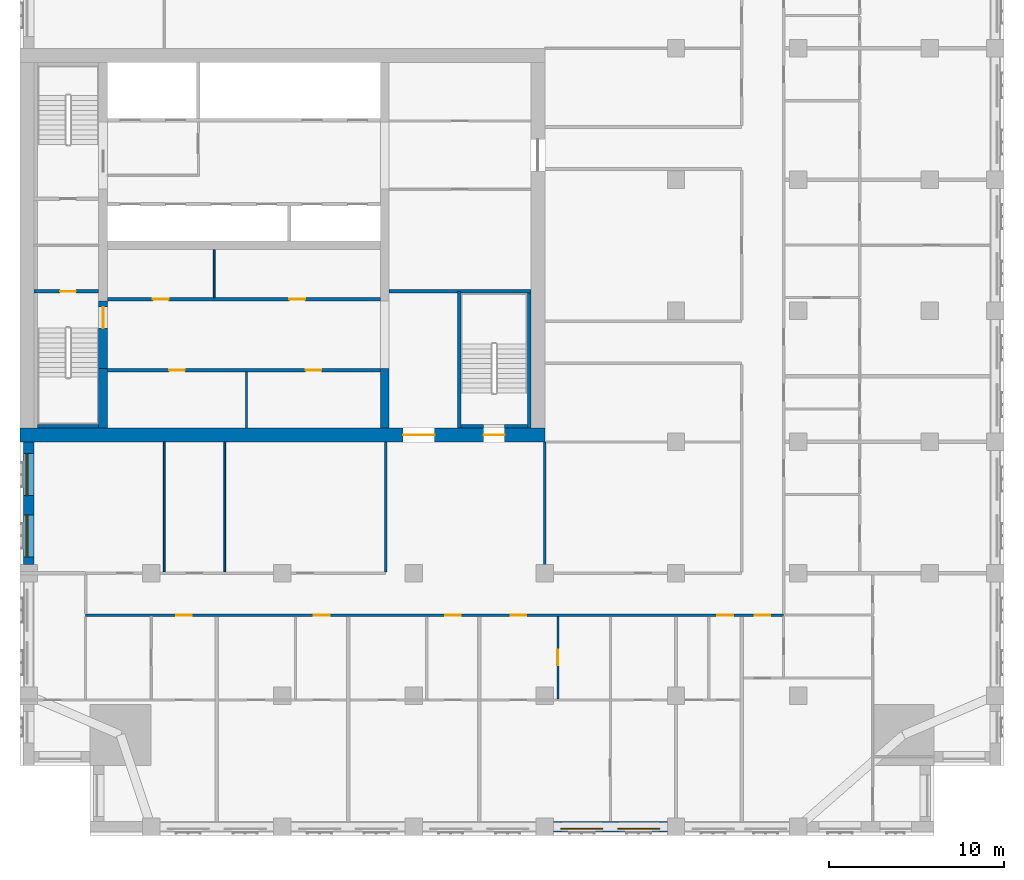
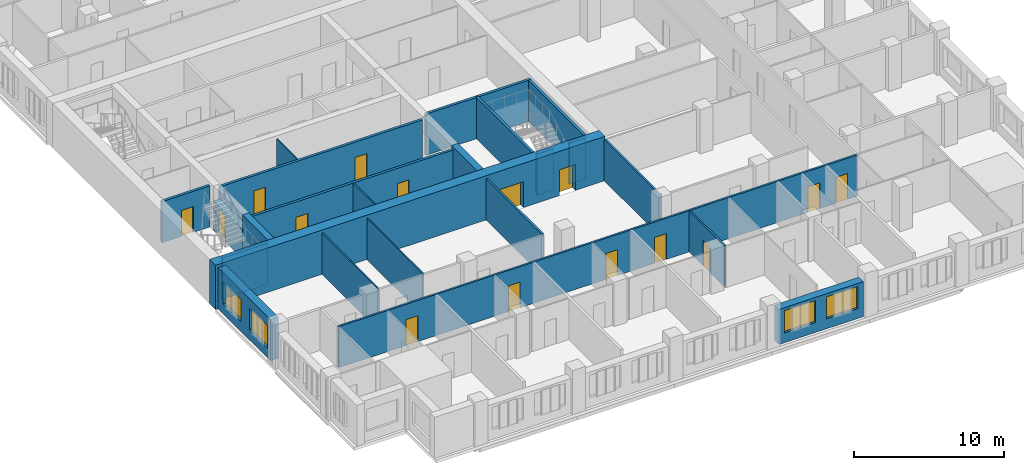
# One storey, part 5 of 14: 23 walls, 15 doors, 4 windows, 19 openings.
"""IFC4 building model written with IfcOpenShell, lengths in metres."""

from ifc_helpers import new_model, si_unit, direction, frame, frame_2d, origin, place, context, subcontext, project, spatial, rectangle, extrude, material, layer, layer_set, type_object, element, fill, save


model = new_model("IFC4")

# Units and contexts
model_context = context("Model", 3, precision=1e-05, world=origin(), true_north=direction((0.0, 1.0)))
body_context = subcontext(model_context, "Body", "Model", "MODEL_VIEW")
ifc_project = project(units=[si_unit("LENGTHUNIT", "METRE"), si_unit("AREAUNIT", "SQUARE_METRE"), si_unit("VOLUMEUNIT", "CUBIC_METRE"), si_unit("PLANEANGLEUNIT", "RADIAN"), si_unit("MASSUNIT", "GRAM", prefix="KILO")], contexts=[model_context])

# Site, building, storey
site_placement = place(None, origin())
site = spatial("IfcSite", under=ifc_project, at=site_placement, CompositionType="ELEMENT")
building_placement = place(site_placement, origin())
building = spatial("IfcBuilding", under=site, at=building_placement, Name="Tamorin Gate", CompositionType="ELEMENT")
storey_placement = place(building_placement, frame((0.0, 0.0, 148.199951171875)))
storey = spatial("IfcBuildingStorey", under=building, at=storey_placement, Name="L36", CompositionType="ELEMENT", Elevation=148.199951171875)

# Wall, openings, windows
ifc_material_1 = material(Name="Precast concrete C40/50", Category="concrete")
ifc_layer_1 = layer(ifc_material_1, 0.60009765625)
ifc_layer_set_1 = layer_set([ifc_layer_1], Name="Precast concrete C40/50")
wall_type_1 = type_object("IfcWallType", Name="Board-marked concrete facade panel 600", PredefinedType="SOLIDWALL", material=ifc_layer_set_1)
wall_1_placement = place(storey_placement, frame((60.5, 38.0, 0.0), z_axis=(0.0, 0.0, 1.0), x_axis=(1.0, 0.0, 0.0)))
wall_1 = element("IfcWall", 1, at=wall_1_placement, inside=storey, type_object=wall_type_1, Name="Facade panel", PredefinedType="SOLIDWALL", context=body_context, shape_type="SweptSolid", body=[
    extrude(rectangle(XDim=6.5, YDim=0.60009765625, at=frame_2d((3.25, 0.0))), origin(), (0.0, 0.0, 1.0), 2.85009765625),
])
opening_1_placement = place(wall_1_placement, frame((0.425048828125, 0.0, 0.800048828125)))
opening_1 = element("IfcOpeningElement", 2, at=opening_1_placement, cuts=wall_1, Name="Opening WN1", PredefinedType="OPENING", context=body_context, shape_type="SweptSolid", body=[
    extrude(rectangle(XDim=2.39990234375, YDim=1.800048828125, at=frame_2d((1.199951171875, 0.89990234375))), frame((0.0, 0.31005859375, 0.0), z_axis=(0.0, -1.0, 0.0), x_axis=(1.0, 0.0, 0.0)), (0.0, 0.0, 1.0), 0.6201171875),
])
opening_2_placement = place(wall_1_placement, frame((3.675048828125, 0.0, 0.800048828125)))
opening_2 = element("IfcOpeningElement", 3, at=opening_2_placement, cuts=wall_1, Name="Opening WN1", PredefinedType="OPENING", context=body_context, shape_type="SweptSolid", body=[
    extrude(rectangle(XDim=2.39990234375, YDim=1.800048828125, at=frame_2d((1.199951171875, 0.89990234375))), frame((0.0, 0.31005859375, 0.0), z_axis=(0.0, -1.0, 0.0), x_axis=(1.0, 0.0, 0.0)), (0.0, 0.0, 1.0), 0.6201171875),
])
ifc_material_2 = material(Name="Clear glass in aluminium frame", Category="aluminium")
window_type = type_object("IfcWindowType", Name="Deep-set window 2400x1800", PartitioningType="SINGLE_PANEL", PredefinedType="WINDOW", material=ifc_material_2)
window_1_placement = place(opening_1_placement, origin())
window_1 = element("IfcWindow", 4, at=window_1_placement, inside=storey, type_object=window_type, Name="Deep-set window", OverallHeight=1.800048828125, OverallWidth=2.39990234375, PartitioningType="SINGLE_PANEL", PredefinedType="WINDOW", context=body_context, shape_type="SweptSolid", body=[
    extrude(rectangle(XDim=2.39990234375, YDim=1.800048828125, at=frame_2d((1.199951171875, 0.89990234375))), frame((0.0, -0.070068359375, 0.0), z_axis=(0.0, -1.0, 0.0), x_axis=(1.0, 0.0, 0.0)), (0.0, 0.0, 1.0), 0.06005859375),
])
fill(opening_1, window_1)
window_2_placement = place(opening_2_placement, origin())
window_2 = element("IfcWindow", 5, at=window_2_placement, inside=storey, type_object=window_type, Name="Deep-set window", OverallHeight=1.800048828125, OverallWidth=2.39990234375, PartitioningType="SINGLE_PANEL", PredefinedType="WINDOW", context=body_context, shape_type="SweptSolid", body=[
    extrude(rectangle(XDim=2.39990234375, YDim=1.800048828125, at=frame_2d((1.199951171875, 0.89990234375))), frame((0.0, -0.070068359375, 0.0), z_axis=(0.0, -1.0, 0.0), x_axis=(1.0, 0.0, 0.0)), (0.0, 0.0, 1.0), 0.06005859375),
])
fill(opening_2, window_2)

wall_2_placement = place(storey_placement, frame((30.5, 60.0, 0.0), z_axis=(0.0, 0.0, 1.0), x_axis=(0.0, -1.0, 0.0)))
wall_2 = element("IfcWall", 6, at=wall_2_placement, inside=storey, type_object=wall_type_1, Name="Facade panel", PredefinedType="SOLIDWALL", context=body_context, shape_type="SweptSolid", body=[
    extrude(rectangle(XDim=7.0, YDim=0.60009765625, at=frame_2d((3.5, 0.0))), origin(), (0.0, 0.0, 1.0), 3.35009765625),
])
opening_3_placement = place(wall_2_placement, frame((4.175048828125, 0.0, 0.800048828125)))
opening_3 = element("IfcOpeningElement", 7, at=opening_3_placement, cuts=wall_2, Name="Opening WN1", PredefinedType="OPENING", context=body_context, shape_type="SweptSolid", body=[
    extrude(rectangle(XDim=2.39990234375, YDim=1.800048828125, at=frame_2d((1.199951171875, 0.89990234375))), frame((0.0, 0.31005859375, 0.0), z_axis=(0.0, -1.0, 0.0), x_axis=(1.0, 0.0, 0.0)), (0.0, 0.0, 1.0), 0.6201171875),
])
opening_4_placement = place(wall_2_placement, frame((0.675048828125, 0.0, 0.800048828125)))
opening_4 = element("IfcOpeningElement", 8, at=opening_4_placement, cuts=wall_2, Name="Opening WN1", PredefinedType="OPENING", context=body_context, shape_type="SweptSolid", body=[
    extrude(rectangle(XDim=2.39990234375, YDim=1.800048828125, at=frame_2d((1.199951171875, 0.89990234375))), frame((0.0, 0.31005859375, 0.0), z_axis=(0.0, -1.0, 0.0), x_axis=(1.0, 0.0, 0.0)), (0.0, 0.0, 1.0), 0.6201171875),
])
window_3_placement = place(opening_3_placement, origin())
window_3 = element("IfcWindow", 9, at=window_3_placement, inside=storey, type_object=window_type, Name="Deep-set window", OverallHeight=1.800048828125, OverallWidth=2.39990234375, PartitioningType="SINGLE_PANEL", PredefinedType="WINDOW", context=body_context, shape_type="SweptSolid", body=[
    extrude(rectangle(XDim=2.39990234375, YDim=1.800048828125, at=frame_2d((1.199951171875, 0.89990234375))), frame((0.0, -0.070068359375, 0.0), z_axis=(0.0, -1.0, 0.0), x_axis=(1.0, 0.0, 0.0)), (0.0, 0.0, 1.0), 0.06005859375),
])
fill(opening_3, window_3)
window_4_placement = place(opening_4_placement, origin())
window_4 = element("IfcWindow", 10, at=window_4_placement, inside=storey, type_object=window_type, Name="Deep-set window", OverallHeight=1.800048828125, OverallWidth=2.39990234375, PartitioningType="SINGLE_PANEL", PredefinedType="WINDOW", context=body_context, shape_type="SweptSolid", body=[
    extrude(rectangle(XDim=2.39990234375, YDim=1.800048828125, at=frame_2d((1.199951171875, 0.89990234375))), frame((0.0, -0.070068359375, 0.0), z_axis=(0.0, -1.0, 0.0), x_axis=(1.0, 0.0, 0.0)), (0.0, 0.0, 1.0), 0.06005859375),
])
fill(opening_4, window_4)

# Wall, openings, doors
ifc_material_3 = material(Name="Gypsum board partition")
ifc_layer_2 = layer(ifc_material_3, 0.14990234375)
ifc_layer_set_2 = layer_set([ifc_layer_2], Name="Corridor wall 150")
wall_type_2 = type_object("IfcWallType", Name="Corridor wall 150", PredefinedType="PARTITIONING", material=ifc_layer_set_2)
wall_3_placement = place(storey_placement, frame((33.75, 50.10009765625, 0.0), z_axis=(0.0, 0.0, 1.0), x_axis=(1.0, 0.0, 0.0)))
wall_3 = element("IfcWall", 11, at=wall_3_placement, inside=storey, type_object=wall_type_2, Name="Corridor wall 150", PredefinedType="PARTITIONING", context=body_context, shape_type="SweptSolid", body=[
    extrude(rectangle(XDim=39.89990234375, YDim=0.14990234375, at=frame_2d((19.949951171875, 0.0))), origin(), (0.0, 0.0, 1.0), 3.35009765625),
])
opening_5_placement = place(wall_3_placement, frame((5.175048828125, 0.0, 0.0)))
opening_5 = element("IfcOpeningElement", 12, at=opening_5_placement, cuts=wall_3, Name="Opening DS2003", PredefinedType="OPENING", context=body_context, shape_type="SweptSolid", body=[
    extrude(rectangle(XDim=0.89990234375, YDim=2.10009765625, at=frame_2d((0.449951171875, 1.050048828125))), frame((0.0, 0.0849609375, 0.0), z_axis=(0.0, -1.0, 0.0), x_axis=(1.0, 0.0, 0.0)), (0.0, 0.0, 1.0), 0.169921875),
])
opening_6_placement = place(wall_3_placement, frame((13.050048828125, 0.0, 0.0)))
opening_6 = element("IfcOpeningElement", 13, at=opening_6_placement, cuts=wall_3, Name="Opening DS2006", PredefinedType="OPENING", context=body_context, shape_type="SweptSolid", body=[
    extrude(rectangle(XDim=0.89990234375, YDim=2.10009765625, at=frame_2d((0.449951171875, 1.050048828125))), frame((0.0, 0.0849609375, 0.0), z_axis=(0.0, -1.0, 0.0), x_axis=(1.0, 0.0, 0.0)), (0.0, 0.0, 1.0), 0.169921875),
])
opening_7_placement = place(wall_3_placement, frame((20.550048828125, 0.0, 0.0)))
opening_7 = element("IfcOpeningElement", 14, at=opening_7_placement, cuts=wall_3, Name="Opening DS2009", PredefinedType="OPENING", context=body_context, shape_type="SweptSolid", body=[
    extrude(rectangle(XDim=0.89990234375, YDim=2.10009765625, at=frame_2d((0.449951171875, 1.050048828125))), frame((0.0, 0.0849609375, 0.0), z_axis=(0.0, -1.0, 0.0), x_axis=(1.0, 0.0, 0.0)), (0.0, 0.0, 1.0), 0.169921875),
])
opening_8_placement = place(wall_3_placement, frame((24.300048828125, 0.0, 0.0)))
opening_8 = element("IfcOpeningElement", 15, at=opening_8_placement, cuts=wall_3, Name="Opening DS2011", PredefinedType="OPENING", context=body_context, shape_type="SweptSolid", body=[
    extrude(rectangle(XDim=0.89990234375, YDim=2.10009765625, at=frame_2d((0.449951171875, 1.050048828125))), frame((0.0, 0.0849609375, 0.0), z_axis=(0.0, -1.0, 0.0), x_axis=(1.0, 0.0, 0.0)), (0.0, 0.0, 1.0), 0.169921875),
])
opening_9_placement = place(wall_3_placement, frame((36.112548828125, 0.0, 0.0)))
opening_9 = element("IfcOpeningElement", 16, at=opening_9_placement, cuts=wall_3, Name="Opening DS2017", PredefinedType="OPENING", context=body_context, shape_type="SweptSolid", body=[
    extrude(rectangle(XDim=0.89990234375, YDim=2.10009765625, at=frame_2d((0.449951171875, 1.050048828125))), frame((0.0, 0.0849609375, 0.0), z_axis=(0.0, -1.0, 0.0), x_axis=(1.0, 0.0, 0.0)), (0.0, 0.0, 1.0), 0.169921875),
])
opening_10_placement = place(wall_3_placement, frame((38.25, 0.0, 0.0)))
opening_10 = element("IfcOpeningElement", 17, at=opening_10_placement, cuts=wall_3, Name="Opening DS2054", PredefinedType="OPENING", context=body_context, shape_type="SweptSolid", body=[
    extrude(rectangle(XDim=0.89990234375, YDim=2.10009765625, at=frame_2d((0.449951171875, 1.050048828125))), frame((0.0, 0.0849609375, 0.0), z_axis=(0.0, -1.0, 0.0), x_axis=(1.0, 0.0, 0.0)), (0.0, 0.0, 1.0), 0.169921875),
])
ifc_material_4 = material(Name="Timber door leaf", Category="wood")
door_type_1 = type_object("IfcDoorType", Name="Door 900 x 2100 FD30S", OperationType="NOTDEFINED", PredefinedType="DOOR", material=ifc_material_4)
door_1_placement = place(opening_5_placement, origin())
door_1 = element("IfcDoor", 18, at=door_1_placement, inside=storey, type_object=door_type_1, Name="Door DS2003", OperationType="SINGLE_SWING_RIGHT", OverallHeight=2.10009765625, OverallWidth=0.89990234375, PredefinedType="DOOR", context=body_context, shape_type="SweptSolid", body=[
    extrude(rectangle(XDim=0.89990234375, YDim=2.10009765625, at=frame_2d((0.449951171875, 1.050048828125))), frame((0.0, 0.02490234375, 0.0), z_axis=(0.0, -1.0, 0.0), x_axis=(1.0, 0.0, 0.0)), (0.0, 0.0, 1.0), 0.050048828125),
])
fill(opening_5, door_1)
door_2_placement = place(opening_6_placement, origin())
door_2 = element("IfcDoor", 19, at=door_2_placement, inside=storey, type_object=door_type_1, Name="Door DS2006", OperationType="SINGLE_SWING_RIGHT", OverallHeight=2.10009765625, OverallWidth=0.89990234375, PredefinedType="DOOR", context=body_context, shape_type="SweptSolid", body=[
    extrude(rectangle(XDim=0.89990234375, YDim=2.10009765625, at=frame_2d((0.449951171875, 1.050048828125))), frame((0.0, 0.02490234375, 0.0), z_axis=(0.0, -1.0, 0.0), x_axis=(1.0, 0.0, 0.0)), (0.0, 0.0, 1.0), 0.050048828125),
])
fill(opening_6, door_2)
door_3_placement = place(opening_7_placement, origin())
door_3 = element("IfcDoor", 20, at=door_3_placement, inside=storey, type_object=door_type_1, Name="Door DS2009", OperationType="SINGLE_SWING_RIGHT", OverallHeight=2.10009765625, OverallWidth=0.89990234375, PredefinedType="DOOR", context=body_context, shape_type="SweptSolid", body=[
    extrude(rectangle(XDim=0.89990234375, YDim=2.10009765625, at=frame_2d((0.449951171875, 1.050048828125))), frame((0.0, 0.02490234375, 0.0), z_axis=(0.0, -1.0, 0.0), x_axis=(1.0, 0.0, 0.0)), (0.0, 0.0, 1.0), 0.050048828125),
])
fill(opening_7, door_3)
door_4_placement = place(opening_8_placement, origin())
door_4 = element("IfcDoor", 21, at=door_4_placement, inside=storey, type_object=door_type_1, Name="Door DS2011", OperationType="SINGLE_SWING_RIGHT", OverallHeight=2.10009765625, OverallWidth=0.89990234375, PredefinedType="DOOR", context=body_context, shape_type="SweptSolid", body=[
    extrude(rectangle(XDim=0.89990234375, YDim=2.10009765625, at=frame_2d((0.449951171875, 1.050048828125))), frame((0.0, 0.02490234375, 0.0), z_axis=(0.0, -1.0, 0.0), x_axis=(1.0, 0.0, 0.0)), (0.0, 0.0, 1.0), 0.050048828125),
])
fill(opening_8, door_4)
door_5_placement = place(opening_9_placement, origin())
door_5 = element("IfcDoor", 22, at=door_5_placement, inside=storey, type_object=door_type_1, Name="Door DS2017", OperationType="SINGLE_SWING_RIGHT", OverallHeight=2.10009765625, OverallWidth=0.89990234375, PredefinedType="DOOR", context=body_context, shape_type="SweptSolid", body=[
    extrude(rectangle(XDim=0.89990234375, YDim=2.10009765625, at=frame_2d((0.449951171875, 1.050048828125))), frame((0.0, 0.02490234375, 0.0), z_axis=(0.0, -1.0, 0.0), x_axis=(1.0, 0.0, 0.0)), (0.0, 0.0, 1.0), 0.050048828125),
])
fill(opening_9, door_5)
door_6_placement = place(opening_10_placement, origin())
door_6 = element("IfcDoor", 23, at=door_6_placement, inside=storey, type_object=door_type_1, Name="Door DS2054", OperationType="SINGLE_SWING_LEFT", OverallHeight=2.10009765625, OverallWidth=0.89990234375, PredefinedType="DOOR", context=body_context, shape_type="SweptSolid", body=[
    extrude(rectangle(XDim=0.89990234375, YDim=2.10009765625, at=frame_2d((0.449951171875, 1.050048828125))), frame((0.0, 0.02490234375, 0.0), z_axis=(0.0, -1.0, 0.0), x_axis=(1.0, 0.0, 0.0)), (0.0, 0.0, 1.0), 0.050048828125),
])
fill(opening_10, door_6)

# Walls
ifc_layer_3 = layer(ifc_material_3, 0.14990234375)
ifc_layer_set_3 = layer_set([ifc_layer_3], Name="Lobby wall 150")
wall_type_3 = type_object("IfcWallType", Name="Lobby wall 150", PredefinedType="PARTITIONING", material=ifc_layer_set_3)
for number, where, z_axis, x_axis, name in (
    (24, (50.89990234375, 52.574951171875, 0.0), (0.0, 0.0, 1.0), (0.0, 1.0, 0.0), "Lobby wall 150"),
    (25, (60.0, 52.574951171875, 0.0), (0.0, 0.0, 1.0), (0.0, 1.0, 0.0), "Lobby wall 150"),
):
    element("IfcWall", number, at=place(storey_placement, frame(where, z_axis=z_axis, x_axis=x_axis)), inside=storey, type_object=wall_type_3, Name=name, PredefinedType="PARTITIONING", context=body_context, shape_type="SweptSolid", body=[
        extrude(rectangle(XDim=7.425048828125, YDim=0.14990234375, at=frame_2d((3.71240234375, 0.0))), origin(), (0.0, 0.0, 1.0), 3.35009765625),
    ])
ifc_material_5 = material(Name="Concrete C60/75", Category="concrete")
ifc_layer_4 = layer(ifc_material_5, 0.5)
ifc_layer_set_4 = layer_set([ifc_layer_4], Name="RC core internal wall 500 C60/75")
wall_type_4 = type_object("IfcWallType", Name="RC core internal wall 500 C60/75", PredefinedType="SHEAR", material=ifc_layer_set_4)
for number, where, z_axis, x_axis, name in (
    (26, (34.75, 60.800048828125, 0.0), (0.0, 0.0, 1.0), (0.0, 1.0, 0.0), "Core cross wall L36"),
    (27, (50.85009765625, 60.800048828125, 0.0), (0.0, 0.0, 1.0), (0.0, 1.0, 0.0), "Core cross wall L36"),
):
    element("IfcWall", number, at=place(storey_placement, frame(where, z_axis=z_axis, x_axis=x_axis)), inside=storey, type_object=wall_type_4, Name=name, PredefinedType="SHEAR", context=body_context, shape_type="SweptSolid", body=[
        extrude(rectangle(XDim=3.39990234375, YDim=0.5, at=frame_2d((1.699951171875, 0.0))), origin(), (0.0, 0.0, 1.0), 3.60009765625),
    ])

# Wall, openings, doors
ifc_layer_5 = layer(ifc_material_5, 0.800048828125)
ifc_layer_set_5 = layer_set([ifc_layer_5], Name="RC core wall 800 C60/75")
wall_type_5 = type_object("IfcWallType", Name="RC core wall 800 C60/75", PredefinedType="SHEAR", material=ifc_layer_set_5)
wall_4_placement = place(storey_placement, frame((30.0, 60.39990234375, 0.0), z_axis=(0.0, 0.0, 1.0), x_axis=(1.0, 0.0, 0.0)))
wall_4 = element("IfcWall", 28, at=wall_4_placement, inside=storey, type_object=wall_type_5, Name="Core wall L36", PredefinedType="SHEAR", context=body_context, shape_type="SweptSolid", body=[
    extrude(rectangle(XDim=30.0, YDim=0.800048828125, at=frame_2d((15.0, 0.0))), origin(), (0.0, 0.0, 1.0), 3.60009765625),
])
opening_11_placement = place(wall_4_placement, frame((21.89990234375, 0.0, 0.0)))
opening_11 = element("IfcOpeningElement", 29, at=opening_11_placement, cuts=wall_4, Name="Opening DE1", PredefinedType="OPENING", context=body_context, shape_type="SweptSolid", body=[
    extrude(rectangle(XDim=1.800048828125, YDim=2.10009765625, at=frame_2d((0.89990234375, 1.050048828125))), frame((0.0, 0.409912109375, 0.0), z_axis=(0.0, -1.0, 0.0), x_axis=(1.0, 0.0, 0.0)), (0.0, 0.0, 1.0), 0.820068359375),
])
opening_12_placement = place(wall_4_placement, frame((26.5, 0.0, 0.0)))
opening_12 = element("IfcOpeningElement", 30, at=opening_12_placement, cuts=wall_4, Name="Opening DS1", PredefinedType="OPENING", context=body_context, shape_type="SweptSolid", body=[
    extrude(rectangle(XDim=1.199951171875, YDim=2.10009765625, at=frame_2d((0.60009765625, 1.050048828125))), frame((0.0, 0.409912109375, 0.0), z_axis=(0.0, -1.0, 0.0), x_axis=(1.0, 0.0, 0.0)), (0.0, 0.0, 1.0), 0.820068359375),
])
ifc_material_6 = material(Name="Steel fire door", Category="steel")
door_type_2 = type_object("IfcDoorType", Name="Lobby exit double door 1800 x 2100 EI 60", OperationType="DOUBLE_DOOR_SINGLE_SWING", PredefinedType="DOOR", material=ifc_material_6)
door_7_placement = place(opening_11_placement, origin())
door_7 = element("IfcDoor", 31, at=door_7_placement, inside=storey, type_object=door_type_2, Name="Lift lobby A exit door", OperationType="DOUBLE_DOOR_SINGLE_SWING", OverallHeight=2.10009765625, OverallWidth=1.800048828125, PredefinedType="DOOR", context=body_context, shape_type="SweptSolid", body=[
    extrude(rectangle(XDim=1.800048828125, YDim=2.10009765625, at=frame_2d((0.89990234375, 1.050048828125))), frame((0.0, 0.02490234375, 0.0), z_axis=(0.0, -1.0, 0.0), x_axis=(1.0, 0.0, 0.0)), (0.0, 0.0, 1.0), 0.050048828125),
])
fill(opening_11, door_7)
door_type_3 = type_object("IfcDoorType", Name="Stair door 1200 x 2100 EI 90", OperationType="SINGLE_SWING_LEFT", PredefinedType="DOOR", material=ifc_material_6)
door_8_placement = place(opening_12_placement, origin())
door_8 = element("IfcDoor", 32, at=door_8_placement, inside=storey, type_object=door_type_3, Name="ST3 door", OperationType="SINGLE_SWING_LEFT", OverallHeight=2.10009765625, OverallWidth=1.199951171875, PredefinedType="DOOR", context=body_context, shape_type="SweptSolid", body=[
    extrude(rectangle(XDim=1.199951171875, YDim=2.10009765625, at=frame_2d((0.60009765625, 1.050048828125))), frame((0.0, 0.02490234375, 0.0), z_axis=(0.0, -1.0, 0.0), x_axis=(1.0, 0.0, 0.0)), (0.0, 0.0, 1.0), 0.050048828125),
])
fill(opening_12, door_8)

# Walls
ifc_layer_6 = layer(ifc_material_3, 0.10009765625)
ifc_layer_set_6 = layer_set([ifc_layer_6], Name="Room partition 100")
wall_type_6 = type_object("IfcWallType", Name="Room partition 100", PredefinedType="PARTITIONING", material=ifc_layer_set_6)
for number, where, z_axis, x_axis, name in (
    (33, (38.25, 52.574951171875, 0.0), (0.0, 0.0, 1.0), (0.0, 1.0, 0.0), "Room partition 100"),
    (34, (41.699951171875, 52.574951171875, 0.0), (0.0, 0.0, 1.0), (0.0, 1.0, 0.0), "Room partition 100"),
):
    element("IfcWall", number, at=place(storey_placement, frame(where, z_axis=z_axis, x_axis=x_axis)), inside=storey, type_object=wall_type_6, Name=name, PredefinedType="PARTITIONING", context=body_context, shape_type="SweptSolid", body=[
        extrude(rectangle(XDim=7.425048828125, YDim=0.10009765625, at=frame_2d((3.71240234375, 0.0))), origin(), (0.0, 0.0, 1.0), 3.35009765625),
    ])

# Wall, openings, doors
ifc_layer_7 = layer(ifc_material_3, 0.199951171875)
ifc_layer_set_7 = layer_set([ifc_layer_7], Name="Service room face wall 200 EI 60")
wall_type_7 = type_object("IfcWallType", Name="Service room face wall 200 EI 60", PredefinedType="PARTITIONING", material=ifc_layer_set_7)
wall_5_placement = place(storey_placement, frame((35.0, 64.10009765625, 0.0), z_axis=(0.0, 0.0, 1.0), x_axis=(1.0, 0.0, 0.0)))
wall_5 = element("IfcWall", 35, at=wall_5_placement, inside=storey, type_object=wall_type_7, Name="Service room face wall", PredefinedType="PARTITIONING", context=body_context, shape_type="SweptSolid", body=[
    extrude(rectangle(XDim=15.60009765625, YDim=0.199951171875, at=frame_2d((7.800048828125, 0.0))), origin(), (0.0, 0.0, 1.0), 3.35009765625),
])
opening_13_placement = place(wall_5_placement, frame((3.52490234375, 0.0, 0.0)))
opening_13 = element("IfcOpeningElement", 36, at=opening_13_placement, cuts=wall_5, Name="Opening DK1", PredefinedType="OPENING", context=body_context, shape_type="SweptSolid", body=[
    extrude(rectangle(XDim=0.89990234375, YDim=2.10009765625, at=frame_2d((0.449951171875, 1.050048828125))), frame((0.0, 0.10986328125, 0.0), z_axis=(0.0, -1.0, 0.0), x_axis=(1.0, 0.0, 0.0)), (0.0, 0.0, 1.0), 0.219970703125),
])
opening_14_placement = place(wall_5_placement, frame((11.324951171875, 0.0, 0.0)))
opening_14 = element("IfcOpeningElement", 37, at=opening_14_placement, cuts=wall_5, Name="Opening DK1", PredefinedType="OPENING", context=body_context, shape_type="SweptSolid", body=[
    extrude(rectangle(XDim=0.89990234375, YDim=2.10009765625, at=frame_2d((0.449951171875, 1.050048828125))), frame((0.0, 0.10986328125, 0.0), z_axis=(0.0, -1.0, 0.0), x_axis=(1.0, 0.0, 0.0)), (0.0, 0.0, 1.0), 0.219970703125),
])
ifc_material_7 = material(Name="Timber fire door", Category="wood")
door_type_4 = type_object("IfcDoorType", Name="Service room door 900 x 2100 EI 60", OperationType="SINGLE_SWING_LEFT", PredefinedType="DOOR", material=ifc_material_7)
door_9_placement = place(opening_13_placement, origin())
door_9 = element("IfcDoor", 38, at=door_9_placement, inside=storey, type_object=door_type_4, Name="Door Pantry", OperationType="SINGLE_SWING_RIGHT", OverallHeight=2.10009765625, OverallWidth=0.89990234375, PredefinedType="DOOR", context=body_context, shape_type="SweptSolid", body=[
    extrude(rectangle(XDim=0.89990234375, YDim=2.10009765625, at=frame_2d((0.449951171875, 1.050048828125))), frame((0.0, 0.02490234375, 0.0), z_axis=(0.0, -1.0, 0.0), x_axis=(1.0, 0.0, 0.0)), (0.0, 0.0, 1.0), 0.050048828125),
])
fill(opening_13, door_9)
door_10_placement = place(opening_14_placement, origin())
door_10 = element("IfcDoor", 39, at=door_10_placement, inside=storey, type_object=door_type_4, Name="Door Linen store", OperationType="SINGLE_SWING_LEFT", OverallHeight=2.10009765625, OverallWidth=0.89990234375, PredefinedType="DOOR", context=body_context, shape_type="SweptSolid", body=[
    extrude(rectangle(XDim=0.89990234375, YDim=2.10009765625, at=frame_2d((0.449951171875, 1.050048828125))), frame((0.0, 0.02490234375, 0.0), z_axis=(0.0, -1.0, 0.0), x_axis=(1.0, 0.0, 0.0)), (0.0, 0.0, 1.0), 0.050048828125),
])
fill(opening_14, door_10)

wall_6_placement = place(storey_placement, frame((35.0, 68.14990234375, 0.0), z_axis=(0.0, 0.0, 1.0), x_axis=(1.0, 0.0, 0.0)))
wall_6 = element("IfcWall", 40, at=wall_6_placement, inside=storey, type_object=wall_type_7, Name="Service room face wall", PredefinedType="PARTITIONING", context=body_context, shape_type="SweptSolid", body=[
    extrude(rectangle(XDim=15.60009765625, YDim=0.199951171875, at=frame_2d((7.800048828125, 0.0))), origin(), (0.0, 0.0, 1.0), 3.35009765625),
])
opening_15_placement = place(wall_6_placement, frame((2.60009765625, 0.0, 0.0)))
opening_15 = element("IfcOpeningElement", 41, at=opening_15_placement, cuts=wall_6, Name="Opening DK1", PredefinedType="OPENING", context=body_context, shape_type="SweptSolid", body=[
    extrude(rectangle(XDim=0.89990234375, YDim=2.10009765625, at=frame_2d((0.449951171875, 1.050048828125))), frame((0.0, 0.10986328125, 0.0), z_axis=(0.0, -1.0, 0.0), x_axis=(1.0, 0.0, 0.0)), (0.0, 0.0, 1.0), 0.219970703125),
])
opening_16_placement = place(wall_6_placement, frame((10.39990234375, 0.0, 0.0)))
opening_16 = element("IfcOpeningElement", 42, at=opening_16_placement, cuts=wall_6, Name="Opening DK1", PredefinedType="OPENING", context=body_context, shape_type="SweptSolid", body=[
    extrude(rectangle(XDim=0.89990234375, YDim=2.10009765625, at=frame_2d((0.449951171875, 1.050048828125))), frame((0.0, 0.10986328125, 0.0), z_axis=(0.0, -1.0, 0.0), x_axis=(1.0, 0.0, 0.0)), (0.0, 0.0, 1.0), 0.219970703125),
])
door_11_placement = place(opening_15_placement, origin())
door_11 = element("IfcDoor", 43, at=door_11_placement, inside=storey, type_object=door_type_4, Name="Door Cleaner's store", OperationType="SINGLE_SWING_RIGHT", OverallHeight=2.10009765625, OverallWidth=0.89990234375, PredefinedType="DOOR", context=body_context, shape_type="SweptSolid", body=[
    extrude(rectangle(XDim=0.89990234375, YDim=2.10009765625, at=frame_2d((0.449951171875, 1.050048828125))), frame((0.0, 0.02490234375, 0.0), z_axis=(0.0, -1.0, 0.0), x_axis=(1.0, 0.0, 0.0)), (0.0, 0.0, 1.0), 0.050048828125),
])
fill(opening_15, door_11)
door_12_placement = place(opening_16_placement, origin())
door_12 = element("IfcDoor", 44, at=door_12_placement, inside=storey, type_object=door_type_4, Name="Door Pantry", OperationType="SINGLE_SWING_LEFT", OverallHeight=2.10009765625, OverallWidth=0.89990234375, PredefinedType="DOOR", context=body_context, shape_type="SweptSolid", body=[
    extrude(rectangle(XDim=0.89990234375, YDim=2.10009765625, at=frame_2d((0.449951171875, 1.050048828125))), frame((0.0, 0.02490234375, 0.0), z_axis=(0.0, -1.0, 0.0), x_axis=(1.0, 0.0, 0.0)), (0.0, 0.0, 1.0), 0.050048828125),
])
fill(opening_16, door_12)

# Walls
ifc_layer_8 = layer(ifc_material_3, 0.10009765625)
ifc_layer_set_8 = layer_set([ifc_layer_8], Name="Service room partition 100 EI 60")
wall_type_8 = type_object("IfcWallType", Name="Service room partition 100 EI 60", PredefinedType="PARTITIONING", material=ifc_layer_set_8)
wall_7_placement = place(storey_placement, frame((42.949951171875, 60.800048828125, 0.0), z_axis=(0.0, 0.0, 1.0), x_axis=(0.0, 1.0, 0.0)))
element("IfcWall", 45, at=wall_7_placement, inside=storey, type_object=wall_type_8, Name="Service room partition", PredefinedType="PARTITIONING", context=body_context, shape_type="SweptSolid", body=[
    extrude(rectangle(XDim=3.199951171875, YDim=0.10009765625, at=frame_2d((1.60009765625, 0.0))), origin(), (0.0, 0.0, 1.0), 3.35009765625),
])
wall_8_placement = place(storey_placement, frame((41.10009765625, 68.25, 0.0), z_axis=(0.0, 0.0, 1.0), x_axis=(0.0, 1.0, 0.0)))
element("IfcWall", 46, at=wall_8_placement, inside=storey, type_object=wall_type_8, Name="Service room partition", PredefinedType="PARTITIONING", context=body_context, shape_type="SweptSolid", body=[
    extrude(rectangle(XDim=2.75, YDim=0.10009765625, at=frame_2d((1.375, 0.0))), origin(), (0.0, 0.0, 1.0), 3.35009765625),
])

# Wall, opening, door
ifc_material_8 = material(Name="Concrete C40/50", Category="concrete")
ifc_layer_9 = layer(ifc_material_8, 0.199951171875)
ifc_layer_set_9 = layer_set([ifc_layer_9], Name="Stair enclosure wall 200 EI 120 C40/50")
wall_type_9 = type_object("IfcWallType", Name="Stair enclosure wall 200 EI 120 C40/50", PredefinedType="SOLIDWALL", material=ifc_layer_set_9)
wall_9_placement = place(storey_placement, frame((30.800048828125, 68.60009765625, 0.0), z_axis=(0.0, 0.0, 1.0), x_axis=(1.0, 0.0, 0.0)))
wall_9 = element("IfcWall", 47, at=wall_9_placement, inside=storey, type_object=wall_type_9, Name="Stair enclosure wall", PredefinedType="SOLIDWALL", context=body_context, shape_type="SweptSolid", body=[
    extrude(rectangle(XDim=3.699951171875, YDim=0.199951171875, at=frame_2d((1.85009765625, 0.0))), origin(), (0.0, 0.0, 1.0), 3.35009765625),
])
opening_17_placement = place(wall_9_placement, frame((1.5, 0.0, 0.0)))
opening_17 = element("IfcOpeningElement", 48, at=opening_17_placement, cuts=wall_9, Name="Opening DR1", PredefinedType="OPENING", context=body_context, shape_type="SweptSolid", body=[
    extrude(rectangle(XDim=0.89990234375, YDim=2.10009765625, at=frame_2d((0.449951171875, 1.050048828125))), frame((0.0, 0.10986328125, 0.0), z_axis=(0.0, -1.0, 0.0), x_axis=(1.0, 0.0, 0.0)), (0.0, 0.0, 1.0), 0.219970703125),
])
door_type_5 = type_object("IfcDoorType", Name="Riser access door 900 x 2100 EI 120", OperationType="SINGLE_SWING_LEFT", PredefinedType="DOOR", material=ifc_material_6)
door_13_placement = place(opening_17_placement, origin())
door_13 = element("IfcDoor", 49, at=door_13_placement, inside=storey, type_object=door_type_5, Name="Electrical riser door", OperationType="SINGLE_SWING_LEFT", OverallHeight=2.10009765625, OverallWidth=0.89990234375, PredefinedType="DOOR", context=body_context, shape_type="SweptSolid", body=[
    extrude(rectangle(XDim=0.89990234375, YDim=2.10009765625, at=frame_2d((0.449951171875, 1.050048828125))), frame((0.0, 0.02490234375, 0.0), z_axis=(0.0, -1.0, 0.0), x_axis=(1.0, 0.0, 0.0)), (0.0, 0.0, 1.0), 0.050048828125),
])
fill(opening_17, door_13)

# Walls
wall_10_placement = place(storey_placement, frame((55.10009765625, 60.800048828125, 0.0), z_axis=(0.0, 0.0, 1.0), x_axis=(0.0, 1.0, 0.0)))
element("IfcWall", 50, at=wall_10_placement, inside=storey, type_object=wall_type_9, Name="Stair enclosure wall", PredefinedType="SOLIDWALL", context=body_context, shape_type="SweptSolid", body=[
    extrude(rectangle(XDim=7.800048828125, YDim=0.199951171875, at=frame_2d((3.89990234375, 0.0))), origin(), (0.0, 0.0, 1.0), 3.35009765625),
])
wall_11_placement = place(storey_placement, frame((51.10009765625, 68.60009765625, 0.0), z_axis=(0.0, 0.0, 1.0), x_axis=(1.0, 0.0, 0.0)))
element("IfcWall", 51, at=wall_11_placement, inside=storey, type_object=wall_type_9, Name="Stair enclosure wall", PredefinedType="SOLIDWALL", context=body_context, shape_type="SweptSolid", body=[
    extrude(rectangle(XDim=8.099853515625, YDim=0.199951171875, at=frame_2d((4.0498046875, 0.0))), origin(), (0.0, 0.0, 1.0), 3.35009765625),
])
ifc_layer_10 = layer(ifc_material_5, 0.199951171875)
ifc_layer_set_10 = layer_set([ifc_layer_10], Name="Stair lining wall 200 EI 120 C60/75")
wall_type_10 = type_object("IfcWallType", Name="Stair lining wall 200 EI 120 C60/75", PredefinedType="SOLIDWALL", material=ifc_layer_set_10)
wall_12_placement = place(storey_placement, frame((31.0, 60.89990234375, 0.0), z_axis=(0.0, 0.0, 1.0), x_axis=(1.0, 0.0, 0.0)))
element("IfcWall", 52, at=wall_12_placement, inside=storey, type_object=wall_type_10, Name="Stair lining wall", PredefinedType="SOLIDWALL", context=body_context, shape_type="SweptSolid", body=[
    extrude(rectangle(XDim=3.5, YDim=0.199951171875, at=frame_2d((1.75, 0.0))), origin(), (0.0, 0.0, 1.0), 3.35009765625),
])
for number, where, z_axis, x_axis, name in (
    (53, (55.199951171875, 60.89990234375, 0.0), (0.0, 0.0, 1.0), (1.0, 0.0, 0.0), "Stair lining wall"),
    (54, (57.699951171875, 60.89990234375, 0.0), (0.0, 0.0, 1.0), (1.0, 0.0, 0.0), "Stair lining wall"),
):
    element("IfcWall", number, at=place(storey_placement, frame(where, z_axis=z_axis, x_axis=x_axis)), inside=storey, type_object=wall_type_10, Name=name, PredefinedType="SOLIDWALL", context=body_context, shape_type="SweptSolid", body=[
        extrude(rectangle(XDim=1.300048828125, YDim=0.199951171875, at=frame_2d((0.64990234375, 0.0))), origin(), (0.0, 0.0, 1.0), 3.35009765625),
    ])
wall_13_placement = place(storey_placement, frame((59.10009765625, 60.800048828125, 0.0), z_axis=(0.0, 0.0, 1.0), x_axis=(0.0, 1.0, 0.0)))
element("IfcWall", 55, at=wall_13_placement, inside=storey, type_object=wall_type_10, Name="Stair lining wall", PredefinedType="SOLIDWALL", context=body_context, shape_type="SweptSolid", body=[
    extrude(rectangle(XDim=7.699951171875, YDim=0.199951171875, at=frame_2d((3.85009765625, 0.0))), origin(), (0.0, 0.0, 1.0), 3.35009765625),
])

# Wall, opening, door
ifc_material_9 = material(Name="Concrete C32/40", Category="concrete")
ifc_layer_11 = layer(ifc_material_9, 0.5)
ifc_layer_set_11 = layer_set([ifc_layer_11], Name="Stair lobby infill wall 500 EI 120")
wall_type_11 = type_object("IfcWallType", Name="Stair lobby infill wall 500 EI 120", PredefinedType="SOLIDWALL", material=ifc_layer_set_11)
wall_14_placement = place(storey_placement, frame((34.75, 64.199951171875, 0.0), z_axis=(0.0, 0.0, 1.0), x_axis=(0.0, 1.0, 0.0)))
wall_14 = element("IfcWall", 56, at=wall_14_placement, inside=storey, type_object=wall_type_11, Name="Stair lobby infill wall", PredefinedType="SOLIDWALL", context=body_context, shape_type="SweptSolid", body=[
    extrude(rectangle(XDim=3.85009765625, YDim=0.5, at=frame_2d((1.925048828125, 0.0))), origin(), (0.0, 0.0, 1.0), 2.400146484375),
])
opening_18_placement = place(wall_14_placement, frame((2.300048828125, 0.0, 0.0)))
opening_18 = element("IfcOpeningElement", 57, at=opening_18_placement, cuts=wall_14, Name="Opening DS1", PredefinedType="OPENING", context=body_context, shape_type="SweptSolid", body=[
    extrude(rectangle(XDim=1.199951171875, YDim=2.10009765625, at=frame_2d((0.60009765625, 1.050048828125))), frame((0.0, 0.260009765625, 0.0), z_axis=(0.0, -1.0, 0.0), x_axis=(1.0, 0.0, 0.0)), (0.0, 0.0, 1.0), 0.52001953125),
])
door_14_placement = place(opening_18_placement, origin())
door_14 = element("IfcDoor", 58, at=door_14_placement, inside=storey, type_object=door_type_3, Name="ST1 door", OperationType="SINGLE_SWING_LEFT", OverallHeight=2.10009765625, OverallWidth=1.199951171875, PredefinedType="DOOR", context=body_context, shape_type="SweptSolid", body=[
    extrude(rectangle(XDim=1.199951171875, YDim=2.10009765625, at=frame_2d((0.60009765625, 1.050048828125))), frame((0.0, 0.02490234375, 0.0), z_axis=(0.0, -1.0, 0.0), x_axis=(1.0, 0.0, 0.0)), (0.0, 0.0, 1.0), 0.050048828125),
])
fill(opening_18, door_14)

ifc_layer_12 = layer(ifc_material_3, 0.125)
ifc_layer_set_12 = layer_set([ifc_layer_12], Name="Wet wall 125")
wall_type_12 = type_object("IfcWallType", Name="Wet wall 125", PredefinedType="PARTITIONING", material=ifc_layer_set_12)
wall_15_placement = place(storey_placement, frame((60.75, 45.3125, 0.0), z_axis=(0.0, 0.0, 1.0), x_axis=(0.0, 1.0, 0.0)))
wall_15 = element("IfcWall", 59, at=wall_15_placement, inside=storey, type_object=wall_type_12, Name="Wet wall 125", PredefinedType="PARTITIONING", context=body_context, shape_type="SweptSolid", body=[
    extrude(rectangle(XDim=4.71240234375, YDim=0.125, at=frame_2d((2.356201171875, 0.0))), origin(), (0.0, 0.0, 1.0), 3.35009765625),
])
opening_19_placement = place(wall_15_placement, frame((1.91259765625, 0.0, 0.0)))
opening_19 = element("IfcOpeningElement", 60, at=opening_19_placement, cuts=wall_15, Name="Opening DS2013", PredefinedType="OPENING", context=body_context, shape_type="SweptSolid", body=[
    extrude(rectangle(XDim=0.89990234375, YDim=2.10009765625, at=frame_2d((0.449951171875, 1.050048828125))), frame((0.0, 0.072509765625, 0.0), z_axis=(0.0, -1.0, 0.0), x_axis=(1.0, 0.0, 0.0)), (0.0, 0.0, 1.0), 0.14501953125),
])
door_type_6 = type_object("IfcDoorType", Name="Door 900 x 2100", OperationType="NOTDEFINED", PredefinedType="DOOR", material=ifc_material_4)
door_15_placement = place(opening_19_placement, origin())
door_15 = element("IfcDoor", 61, at=door_15_placement, inside=storey, type_object=door_type_6, Name="Door DS2013", OperationType="SINGLE_SWING_LEFT", OverallHeight=2.10009765625, OverallWidth=0.89990234375, PredefinedType="DOOR", context=body_context, shape_type="SweptSolid", body=[
    extrude(rectangle(XDim=0.89990234375, YDim=2.10009765625, at=frame_2d((0.449951171875, 1.050048828125))), frame((0.0, 0.02490234375, 0.0), z_axis=(0.0, -1.0, 0.0), x_axis=(1.0, 0.0, 0.0)), (0.0, 0.0, 1.0), 0.050048828125),
])
fill(opening_19, door_15)

save(model, "model.ifc")
